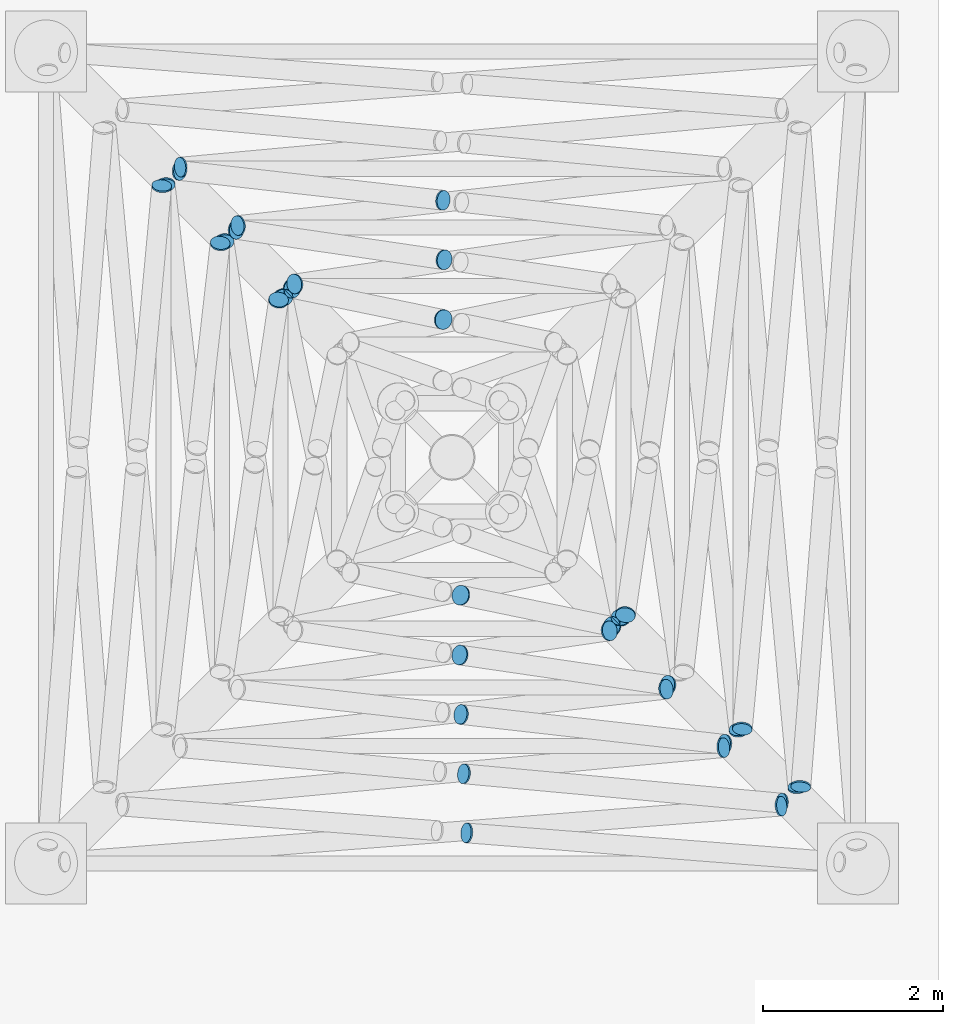
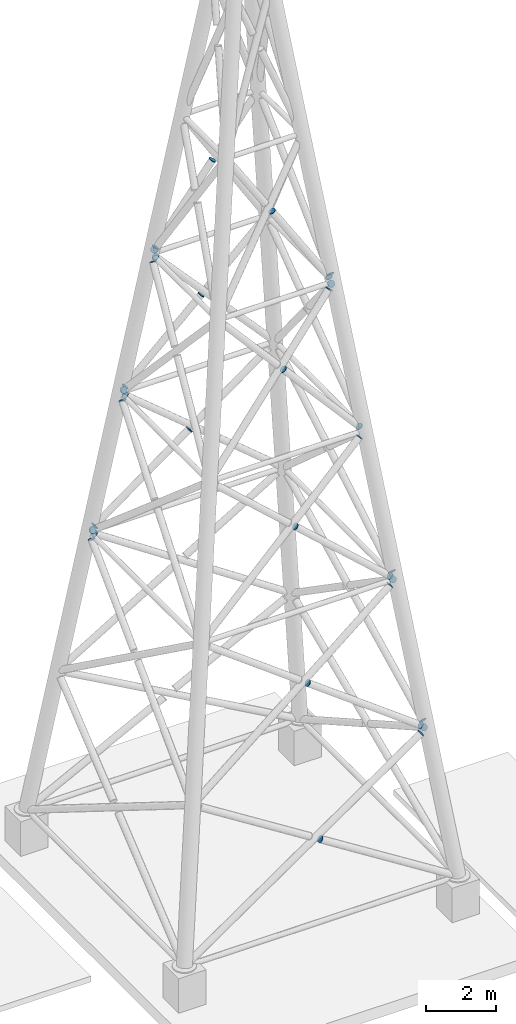
# One storey, part 6 of 10: 34 discrete accessories.
"""IFC4 building model written with IfcOpenShell, lengths in metres."""

from ifc_helpers import new_model, si_unit, direction, frame, origin, origin_2d, place, context, subcontext, project, spatial, circle, extrude, material, material_profile, profile_set, type_object, element, save


model = new_model("IFC4")

# Units and contexts
model_context = context("Model", 3, precision=1e-05, world=origin(), true_north=direction((0.0, 1.0)))
body_context = subcontext(model_context, "Body", "Model", "MODEL_VIEW")
ifc_project = project(units=[si_unit("LENGTHUNIT", "METRE"), si_unit("AREAUNIT", "SQUARE_METRE"), si_unit("VOLUMEUNIT", "CUBIC_METRE"), si_unit("PLANEANGLEUNIT", "RADIAN"), si_unit("MASSUNIT", "GRAM", prefix="KILO")], contexts=[model_context])

# Site, building, storey
site_placement = place(None, origin())
site = spatial("IfcSite", under=ifc_project, at=site_placement, CompositionType="ELEMENT")
building_placement = place(site_placement, origin())
building = spatial("IfcBuilding", under=site, at=building_placement, Name="Dhurran Vertical Campus", CompositionType="ELEMENT")
storey_placement = place(building_placement, frame((0.0, 0.0, 345.89990234375)))
storey = spatial("IfcBuildingStorey", under=building, at=storey_placement, Name="Upper Roof", CompositionType="ELEMENT", Elevation=345.89990234375)

# Discrete accessories
ifc_material = material(Name="Steel S355J2", Category="steel")
ifc_material_profile = material_profile(ifc_material, circle(Radius=0.109619140625, at=origin_2d()), Name="Tube end cap 219 x 20")
ifc_profile_set = profile_set([ifc_material_profile], Name="Steel S355J2")
discrete_accessory_type = type_object("IfcDiscreteAccessoryType", Name="Tube end cap 219 x 20", PredefinedType="USERDEFINED", material=ifc_profile_set)
for number, where, z_axis, x_axis, name in (
    (1, (3.63720703125, -3.86669921875, 6.47265625), (0.855186110494, 0.073301666614, 0.513111666296), (-0.085401141346, 0.996346649042, 0.0), "EC1 mast diag 0 001 capB"),
    (2, (0.17236328125, -4.1630859375, 4.19140625), (-0.85050220493, 0.060750157495, 0.522451354457), (-0.071247049988, -0.997458699831, 0.0), "EC1 mast diag 0 002 capB"),
    (3, (3.86669921875, -3.63720703125, 6.47265625), (-0.073301666614, -0.855186110494, 0.513111666296), (0.996346649042, -0.085401141346, 0.0), "EC1 mast diag 0 006 capB"),
    (4, (2.997802734375, -3.218505859375, 11.456787109375), (0.816466267899, 0.0731163822, 0.572744993899), (-0.08919529755, 0.996014155971, 0.0), "EC1 mast diag 1 013 capB"),
    (5, (3.64794921875, -3.831298828125, 6.743408203125), (0.815679312277, -0.085220226656, -0.572192950404), (0.103912021641, 0.994586492849, 0.0), "EC1 mast diag 1 014 capA"),
    (6, (0.140869140625, -3.508056640625, 9.230712890625), (-0.816466267899, 0.0731163822, 0.572744993899), (-0.08919529755, -0.996014155971, 0.0), "EC1 mast diag 1 014 capB"),
    (7, (3.831298828125, -3.64794921875, 6.743408203125), (0.085220226656, -0.815679312277, -0.572192950404), (0.994586492849, 0.103912021641, 0.0), "EC1 mast diag 1 016 capA"),
    (8, (3.218505859375, -2.997802734375, 11.456787109375), (-0.0731163822, -0.816466267899, 0.572744993899), (0.996014155971, -0.08919529755, 0.0), "EC1 mast diag 1 018 capB"),
    (9, (-2.997802734375, 3.218505859375, 11.456787109375), (-0.816466267899, -0.0731163822, 0.572744993899), (0.08919529755, -0.996014155971, 0.0), "EC1 mast diag 1 019 capB"),
    (10, (-3.218505859375, 2.997802734375, 11.456787109375), (0.0731163822, 0.816466267899, 0.572744993899), (-0.996014155971, 0.08919529755, 0.0), "EC1 mast diag 1 024 capB"),
    (11, (2.36328125, -2.571044921875, 16.4375), (0.746013435179, 0.085608099119, 0.66040533606), (-0.114005909847, 0.993480071526, 0.0), "EC1 mast diag 2 025 capB"),
):
    element("IfcDiscreteAccessory", number, at=place(storey_placement, frame(where, z_axis=z_axis, x_axis=x_axis)), inside=storey, type_object=discrete_accessory_type, Name=name, ObjectType="END CAP", PredefinedType="USERDEFINED", context=body_context, shape_type="SweptSolid", body=[
        extrude(circle(Radius=0.109619140625, at=origin_2d()), origin(), (0.0, 0.0, 1.0), 0.02001953125),
    ])
discrete_accessory_1_placement = place(storey_placement, frame((3.01318359375, -3.178955078125, 11.7626953125), z_axis=(0.751363376263, -0.084831348933, -0.654413263197), x_axis=(0.112190436608, 0.993686724241, 0.0)))
element("IfcDiscreteAccessory", 12, at=discrete_accessory_1_placement, inside=storey, type_object=discrete_accessory_type, Name="EC1 mast diag 2 026 capA", ObjectType="END CAP", PredefinedType="USERDEFINED", context=body_context, shape_type="SweptSolid", body=[
    extrude(circle(Radius=0.109619140625, at=origin_2d()), origin(), (0.0, 0.0, 1.0), 0.020263671875),
])
discrete_accessory_2_placement = place(storey_placement, frame((0.10888671875, -2.8505859375, 14.2880859375), z_axis=(-0.752055500146, 0.086301450836, 0.653425270619), x_axis=(-0.114005909847, -0.993480071526, 0.0)))
element("IfcDiscreteAccessory", 13, at=discrete_accessory_2_placement, inside=storey, type_object=discrete_accessory_type, Name="EC1 mast diag 2 026 capB", ObjectType="END CAP", PredefinedType="USERDEFINED", context=body_context, shape_type="SweptSolid", body=[
    extrude(circle(Radius=0.109619140625, at=origin_2d()), origin(), (0.0, 0.0, 1.0), 0.019775390625),
])
discrete_accessory_3_placement = place(storey_placement, frame((3.178955078125, -3.01318359375, 11.7626953125), z_axis=(0.084831348933, -0.751363376263, -0.654413263197), x_axis=(0.993686724241, 0.112190436608, 0.0)))
element("IfcDiscreteAccessory", 14, at=discrete_accessory_3_placement, inside=storey, type_object=discrete_accessory_type, Name="EC1 mast diag 2 028 capA", ObjectType="END CAP", PredefinedType="USERDEFINED", context=body_context, shape_type="SweptSolid", body=[
    extrude(circle(Radius=0.109619140625, at=origin_2d()), origin(), (0.0, 0.0, 1.0), 0.020263671875),
])
discrete_accessory_4_placement = place(storey_placement, frame((-2.36328125, 2.571044921875, 16.4375), z_axis=(-0.746013435179, -0.085608099119, 0.66040533606), x_axis=(0.114005909847, -0.993480071526, 0.0)))
element("IfcDiscreteAccessory", 15, at=discrete_accessory_4_placement, inside=storey, type_object=discrete_accessory_type, Name="EC1 mast diag 2 031 capB", ObjectType="END CAP", PredefinedType="USERDEFINED", context=body_context, shape_type="SweptSolid", body=[
    extrude(circle(Radius=0.109619140625, at=origin_2d()), origin(), (0.0, 0.0, 1.0), 0.02001953125),
])
discrete_accessory_5_placement = place(storey_placement, frame((-3.01318359375, 3.178955078125, 11.7626953125), z_axis=(-0.751363376263, 0.084831348933, -0.654413263197), x_axis=(-0.112190436608, -0.993686724241, 0.0)))
element("IfcDiscreteAccessory", 16, at=discrete_accessory_5_placement, inside=storey, type_object=discrete_accessory_type, Name="EC1 mast diag 2 032 capA", ObjectType="END CAP", PredefinedType="USERDEFINED", context=body_context, shape_type="SweptSolid", body=[
    extrude(circle(Radius=0.109619140625, at=origin_2d()), origin(), (0.0, 0.0, 1.0), 0.020263671875),
])
discrete_accessory_6_placement = place(storey_placement, frame((-0.10888671875, 2.8505859375, 14.2880859375), z_axis=(0.752055500146, -0.086301450836, 0.653425270619), x_axis=(0.114005909847, 0.993480071526, 0.0)))
element("IfcDiscreteAccessory", 17, at=discrete_accessory_6_placement, inside=storey, type_object=discrete_accessory_type, Name="EC1 mast diag 2 032 capB", ObjectType="END CAP", PredefinedType="USERDEFINED", context=body_context, shape_type="SweptSolid", body=[
    extrude(circle(Radius=0.109619140625, at=origin_2d()), origin(), (0.0, 0.0, 1.0), 0.019775390625),
])
discrete_accessory_7_placement = place(storey_placement, frame((-3.178955078125, 3.01318359375, 11.7626953125), z_axis=(-0.084831348933, 0.751363376263, -0.654413263197), x_axis=(-0.993686724241, -0.112190436608, 0.0)))
element("IfcDiscreteAccessory", 18, at=discrete_accessory_7_placement, inside=storey, type_object=discrete_accessory_type, Name="EC1 mast diag 2 034 capA", ObjectType="END CAP", PredefinedType="USERDEFINED", context=body_context, shape_type="SweptSolid", body=[
    extrude(circle(Radius=0.109619140625, at=origin_2d()), origin(), (0.0, 0.0, 1.0), 0.020263671875),
])
for number, where, z_axis, x_axis, name in (
    (19, (-2.571044921875, 2.36328125, 16.4375), (0.085608099119, 0.746013435179, 0.66040533606), (-0.993480071526, 0.114005909847, 0.0), "EC1 mast diag 2 036 capB"),
    (20, (1.735595703125, -1.924072265625, 21.415283203125), (0.659665772572, 0.097728262603, 0.74517800235), (-0.146548661089, 0.989203462354, 0.0), "EC1 mast diag 3 037 capB"),
    (21, (2.385498046875, -2.52587890625, 16.784912109375), (0.659665772572, -0.097728262603, -0.74517800235), (0.146548661089, 0.989203462354, 0.0), "EC1 mast diag 3 038 capA"),
    (22, (0.095458984375, -2.19140625, 19.358154296875), (-0.66040533606, 0.085608099119, 0.746013435179), (-0.128554028641, -0.991702506662, 0.0), "EC1 mast diag 3 038 capB"),
    (23, (1.924072265625, -1.735595703125, 21.415283203125), (-0.097728262603, -0.659665772572, 0.74517800235), (0.989203462354, -0.146548661089, 0.0), "EC1 mast diag 3 042 capB"),
    (24, (-1.735595703125, 1.924072265625, 21.415283203125), (-0.659665772572, -0.097728262603, 0.74517800235), (0.146548661089, -0.989203462354, 0.0), "EC1 mast diag 3 043 capB"),
    (25, (-2.385498046875, 2.52587890625, 16.784912109375), (-0.659665772572, 0.097728262603, -0.74517800235), (-0.146548661089, -0.989203462354, 0.0), "EC1 mast diag 3 044 capA"),
    (26, (-0.095458984375, 2.19140625, 19.358154296875), (0.66040533606, -0.085608099119, 0.746013435179), (0.128554028641, 0.991702506662, 0.0), "EC1 mast diag 3 044 capB"),
    (27, (-2.52587890625, 2.385498046875, 16.784912109375), (-0.097728262603, 0.659665772572, -0.74517800235), (-0.989203462354, -0.146548661089, 0.0), "EC1 mast diag 3 046 capA"),
    (28, (-1.924072265625, 1.735595703125, 21.415283203125), (0.097728262603, 0.659665772572, 0.74517800235), (-0.989203462354, 0.146548661089, 0.0), "EC1 mast diag 3 048 capB"),
    (29, (1.768310546875, -1.872802734375, 21.80908203125), (0.525681799245, -0.110026423098, -0.843535910417), (0.204863154123, 0.978790625253, 0.0), "EC1 mast diag 4 050 capA"),
    (30, (0.103515625, -1.529296875, 24.45166015625), (-0.525681799245, 0.110026423098, 0.843535910417), (-0.204863154123, -0.978790625253, 0.0), "EC1 mast diag 4 050 capB"),
    (31, (1.872802734375, -1.768310546875, 21.80908203125), (0.110026423098, -0.525681799245, -0.843535910417), (0.978790625253, 0.204863154123, 0.0), "EC1 mast diag 4 052 capA"),
    (32, (-1.768310546875, 1.872802734375, 21.80908203125), (-0.525681799245, 0.110026423098, -0.843535910417), (-0.204863154123, -0.978790625253, 0.0), "EC1 mast diag 4 056 capA"),
    (33, (-0.103515625, 1.529296875, 24.45166015625), (0.525681799245, -0.110026423098, 0.843535910417), (0.204863154123, 0.978790625253, 0.0), "EC1 mast diag 4 056 capB"),
    (34, (-1.872802734375, 1.768310546875, 21.80908203125), (-0.110026423098, 0.525681799245, -0.843535910417), (-0.978790625253, -0.204863154123, 0.0), "EC1 mast diag 4 058 capA"),
):
    element("IfcDiscreteAccessory", number, at=place(storey_placement, frame(where, z_axis=z_axis, x_axis=x_axis)), inside=storey, type_object=discrete_accessory_type, Name=name, ObjectType="END CAP", PredefinedType="USERDEFINED", context=body_context, shape_type="SweptSolid", body=[
        extrude(circle(Radius=0.109619140625, at=origin_2d()), origin(), (0.0, 0.0, 1.0), 0.02001953125),
    ])

save(model, "model.ifc")
